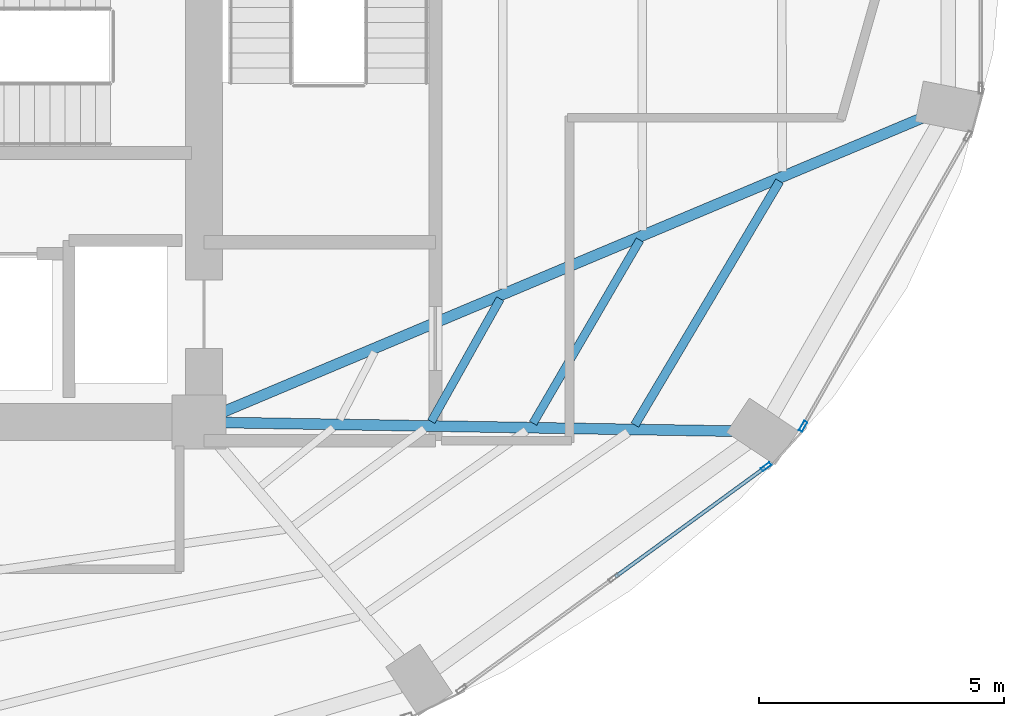
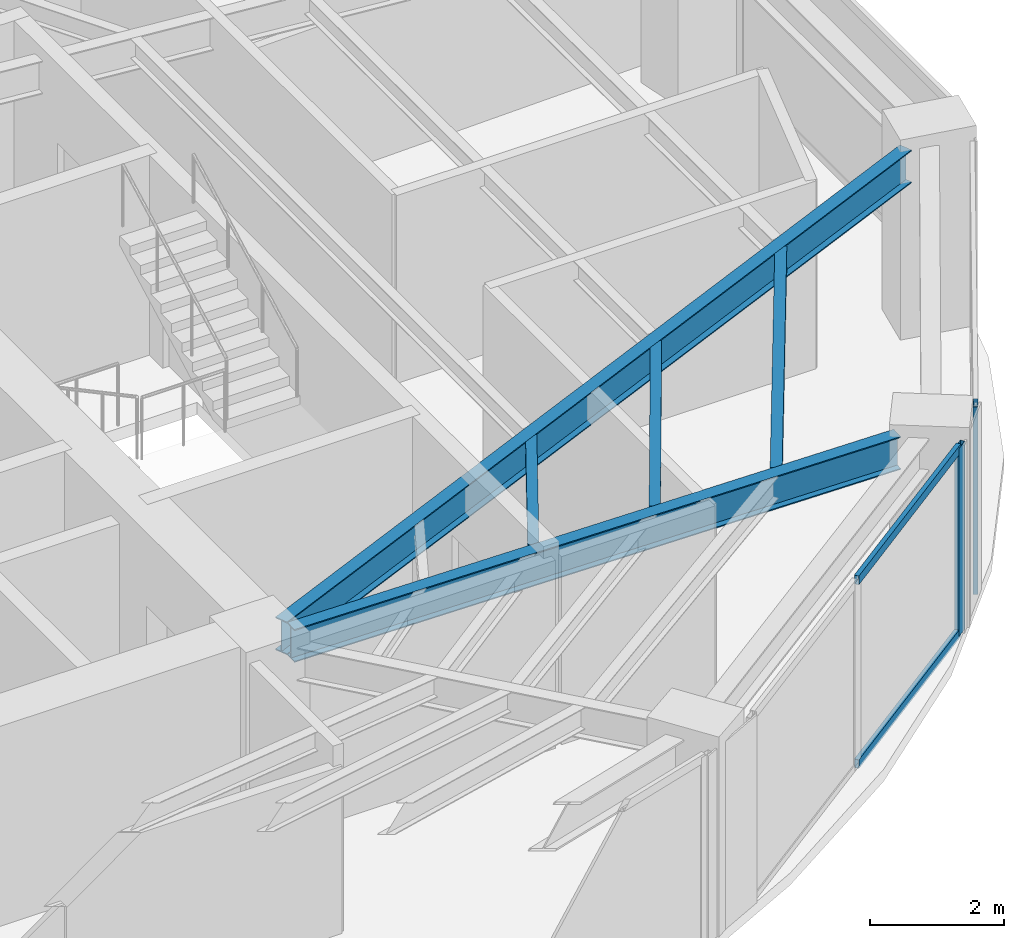
# One storey, part 11 of 24: 5 beams, 4 members, 2 elements without a shape of their own.
"""IFC4 building model written with IfcOpenShell, lengths in metres."""

from ifc_helpers import new_model, si_unit, direction, frame, origin, origin_2d, place, context, subcontext, project, spatial, hollow_rectangle, i_section, extrude, material, layer, layer_set, material_profile, profile_set, type_object, element, aggregate, save


model = new_model("IFC4")

# Units and contexts
model_context = context("Model", 3, precision=1e-05, world=origin(), true_north=direction((0.0, 1.0)))
body_context = subcontext(model_context, "Body", "Model", "MODEL_VIEW")
ifc_project = project(units=[si_unit("LENGTHUNIT", "METRE"), si_unit("AREAUNIT", "SQUARE_METRE"), si_unit("VOLUMEUNIT", "CUBIC_METRE"), si_unit("PLANEANGLEUNIT", "RADIAN"), si_unit("MASSUNIT", "GRAM", prefix="KILO")], contexts=[model_context])

# Site, building, storey
site_placement = place(None, origin())
site = spatial("IfcSite", under=ifc_project, at=site_placement, CompositionType="ELEMENT")
building_placement = place(site_placement, origin())
building = spatial("IfcBuilding", under=site, at=building_placement, Name="Lazwardi Medical Tower", CompositionType="ELEMENT")
storey_placement = place(building_placement, frame((0.0, 0.0, 99.98388671875)))
storey = spatial("IfcBuildingStorey", under=building, at=storey_placement, Name="L25", CompositionType="ELEMENT", Elevation=99.98388671875)

# Beams
ifc_material_1 = material(Name="Steel S355", Category="steel")
ifc_material_profile_1 = material_profile(ifc_material_1, i_section(OverallWidth=0.219970703125, OverallDepth=0.60009765625, WebThickness=0.011962890625, FlangeThickness=0.01904296875, at=origin_2d()), Name="IPE 600")
ifc_profile_set_1 = profile_set([ifc_material_profile_1], Name="Steel S355")
beam_type_1 = type_object("IfcBeamType", Name="BM-RG-W1", PredefinedType="BEAM", material=ifc_profile_set_1)
beam_1_placement = place(storey_placement, frame((56.497802734375, 20.215087890625, 3.128173828125), z_axis=(-0.99985616395, 0.016960289263, 0.0), x_axis=(-0.016960289263, -0.99985616395, 0.0)))
element("IfcBeam", 1, at=beam_1_placement, inside=storey, type_object=beam_type_1, Name="Radial girder RG-02 R03 L25", PredefinedType="BEAM", context=body_context, shape_type="SweptSolid", body=[
    extrude(i_section(OverallWidth=0.219970703125, OverallDepth=0.60009765625, WebThickness=0.011962890625, FlangeThickness=0.01904296875, at=origin_2d()), origin(), (0.0, 0.0, 1.0), 10.3642578125),
])
beam_2_placement = place(storey_placement, frame((60.328369140625, 26.59521484375, 3.128173828125), z_axis=(-0.921775176005, -0.38772480563, 0.0), x_axis=(0.38772480563, -0.921775176005, 0.0)))
element("IfcBeam", 2, at=beam_2_placement, inside=storey, type_object=beam_type_1, Name="Radial girder RG-02 R04 L25", PredefinedType="BEAM", context=body_context, shape_type="SweptSolid", body=[
    extrude(i_section(OverallWidth=0.219970703125, OverallDepth=0.60009765625, WebThickness=0.011962890625, FlangeThickness=0.01904296875, at=origin_2d()), origin(), (0.0, 0.0, 1.0), 15.443359375),
])
ifc_material_profile_2 = material_profile(ifc_material_1, i_section(OverallWidth=0.179931640625, OverallDepth=0.39990234375, WebThickness=0.008544921875, FlangeThickness=0.013427734375, at=origin_2d()), Name="IPE 400")
ifc_profile_set_2 = profile_set([ifc_material_profile_2], Name="Steel S355")
beam_type_2 = type_object("IfcBeamType", Name="BM-SJ-01", PredefinedType="JOIST", material=ifc_profile_set_2)
beam_3_placement = place(storey_placement, frame((54.47900390625, 20.340576171875, 3.22802734375), z_axis=(0.510499691073, 0.859877936346, 0.0), x_axis=(-0.859877936346, 0.510499691073, 0.0)))
element("IfcBeam", 3, at=beam_3_placement, inside=storey, type_object=beam_type_2, Name="Secondary joist SJ-01 R1 B03 L25", PredefinedType="JOIST", context=body_context, shape_type="SweptSolid", body=[
    extrude(i_section(OverallWidth=0.179931640625, OverallDepth=0.39990234375, WebThickness=0.008544921875, FlangeThickness=0.013427734375, at=origin_2d()), origin(), (0.0, 0.0, 1.0), 5.776123046875),
])
ifc_material_profile_3 = material_profile(ifc_material_1, i_section(OverallWidth=0.169921875, OverallDepth=0.360107421875, WebThickness=0.008056640625, FlangeThickness=0.0126953125, at=origin_2d()), Name="IPE 360")
ifc_profile_set_3 = profile_set([ifc_material_profile_3], Name="Steel S355")
beam_type_3 = type_object("IfcBeamType", Name="BM-SJ-02", PredefinedType="JOIST", material=ifc_profile_set_3)
beam_4_placement = place(storey_placement, frame((52.405517578125, 20.376220703125, 3.248046875), z_axis=(0.503544274258, 0.86396942299, 0.0), x_axis=(-0.86396942299, 0.503544274258, 0.0)))
element("IfcBeam", 4, at=beam_4_placement, inside=storey, type_object=beam_type_3, Name="Secondary joist SJ-02 R2 B03 L25", PredefinedType="JOIST", context=body_context, shape_type="SweptSolid", body=[
    extrude(i_section(OverallWidth=0.169921875, OverallDepth=0.360107421875, WebThickness=0.008056640625, FlangeThickness=0.0126953125, at=origin_2d()), origin(), (0.0, 0.0, 1.0), 4.321044921875),
])
beam_5_placement = place(storey_placement, frame((50.33154296875, 20.412109375, 3.248046875), z_axis=(0.489860824278, 0.871800649711, 0.0), x_axis=(-0.871800649711, 0.489860824278, 0.0)))
element("IfcBeam", 5, at=beam_5_placement, inside=storey, type_object=beam_type_3, Name="Secondary joist SJ-02 R3 B03 L25", PredefinedType="JOIST", context=body_context, shape_type="SweptSolid", body=[
    extrude(i_section(OverallWidth=0.169921875, OverallDepth=0.360107421875, WebThickness=0.008056640625, FlangeThickness=0.0126953125, at=origin_2d()), origin(), (0.0, 0.0, 1.0), 2.8662109375),
])

# Curtain wall, member
ifc_material_2 = material(Name="Anodised bronze aluminium and solar control glazing", Category="aluminium")
ifc_layer = layer(ifc_material_2, 0.195068359375)
ifc_layer_set = layer_set([ifc_layer], Name="Anodised bronze aluminium and solar control glazing")
curtain_wall_type = type_object("IfcCurtainWallType", Name="CW-SYS-03", PredefinedType="NOTDEFINED", material=ifc_layer_set)
curtain_wall_1_placement = place(storey_placement, origin())
curtain_wall_1 = element("IfcCurtainWall", 6, at=curtain_wall_1_placement, inside=storey, type_object=curtain_wall_type, Name="L25 Unitised bronze curtain wall CW-03", PredefinedType="NOTDEFINED")
ifc_material_3 = material(Name="Anodised bronze aluminium", Category="aluminium")
ifc_material_profile_4 = material_profile(ifc_material_3, hollow_rectangle(XDim=0.074951171875, YDim=0.219970703125, WallThickness=0.00390625, at=origin_2d()), Name="ALU-MULLION 220x75x4")
ifc_profile_set_4 = profile_set([ifc_material_profile_4], Name="Anodised bronze aluminium")
member_type_1 = type_object("IfcMemberType", Name="CW-MUL-01", PredefinedType="MULLION", material=ifc_profile_set_4)
member_1_placement = place(storey_placement, frame((57.155029296875, 19.4912109375, 0.0), z_axis=(0.0, 0.0, 1.0), x_axis=(-0.589530882802, 0.807745837639, 0.0)))
member_1 = element("IfcMember", 7, at=member_1_placement, type_object=member_type_1, Name="CW-03 mullion 3", PredefinedType="MULLION", context=body_context, shape_type="SweptSolid", body=[
    extrude(hollow_rectangle(XDim=0.074951171875, YDim=0.219970703125, WallThickness=0.00390625, at=origin_2d()), origin(), (0.0, 0.0, 1.0), 3.42822265625),
])

curtain_wall_2_placement = place(storey_placement, origin())
curtain_wall_2 = element("IfcCurtainWall", 8, at=curtain_wall_2_placement, inside=storey, type_object=curtain_wall_type, Name="L25 Unitised bronze curtain wall CW-03", PredefinedType="NOTDEFINED")
member_2_placement = place(storey_placement, frame((57.9072265625, 20.314208984375, 0.0), z_axis=(0.0, 0.0, 1.0), x_axis=(-0.869687265712, 0.493603140041, 0.0)))
member_2 = element("IfcMember", 9, at=member_2_placement, type_object=member_type_1, Name="CW-03 mullion 1", PredefinedType="MULLION", context=body_context, shape_type="SweptSolid", body=[
    extrude(hollow_rectangle(XDim=0.074951171875, YDim=0.219970703125, WallThickness=0.00390625, at=origin_2d()), origin(), (0.0, 0.0, 1.0), 3.42822265625),
])
aggregate(curtain_wall_2, [member_2])

# Member
ifc_material_profile_5 = material_profile(ifc_material_3, hollow_rectangle(XDim=0.074951171875, YDim=0.159912109375, WallThickness=0.00390625, at=origin_2d()), Name="ALU-TRANSOM 160x75x4")
ifc_profile_set_5 = profile_set([ifc_material_profile_5], Name="Anodised bronze aluminium")
member_type_2 = type_object("IfcMemberType", Name="CW-TRN-01", PredefinedType="USERDEFINED", material=ifc_profile_set_5)
member_3_placement = place(storey_placement, frame((54.081298828125, 17.247802734375, 0.03759765625), z_axis=(0.807731734271, 0.589550206049, 0.0), x_axis=(-0.589550206049, 0.807731734271, 0.0)))
member_3 = element("IfcMember", 10, at=member_3_placement, type_object=member_type_2, Name="CW-03 transom 2.1", ObjectType="TRANSOM", PredefinedType="USERDEFINED", context=body_context, shape_type="SweptSolid", body=[
    extrude(hollow_rectangle(XDim=0.074951171875, YDim=0.159912109375, WallThickness=0.00390625, at=origin_2d()), origin(), (0.0, 0.0, 1.0), 3.767578125),
])

member_4_placement = place(storey_placement, frame((54.081298828125, 17.247802734375, 3.390625), z_axis=(0.807731734271, 0.589550206049, 0.0), x_axis=(-0.589550206049, 0.807731734271, 0.0)))
member_4 = element("IfcMember", 11, at=member_4_placement, type_object=member_type_2, Name="CW-03 transom 2.2", ObjectType="TRANSOM", PredefinedType="USERDEFINED", context=body_context, shape_type="SweptSolid", body=[
    extrude(hollow_rectangle(XDim=0.074951171875, YDim=0.159912109375, WallThickness=0.00390625, at=origin_2d()), origin(), (0.0, 0.0, 1.0), 3.767578125),
])

aggregate(curtain_wall_1, [member_1, member_3, member_4])

save(model, "model.ifc")
